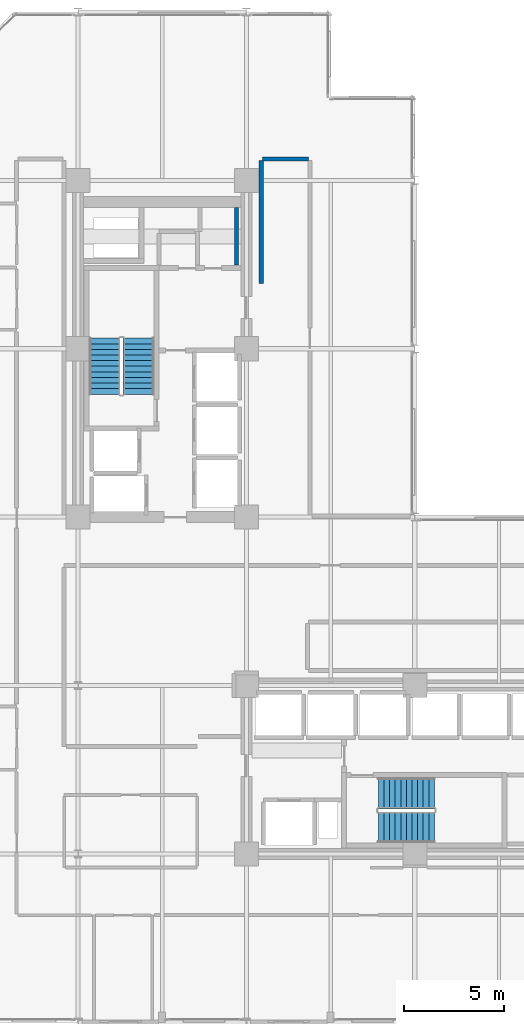
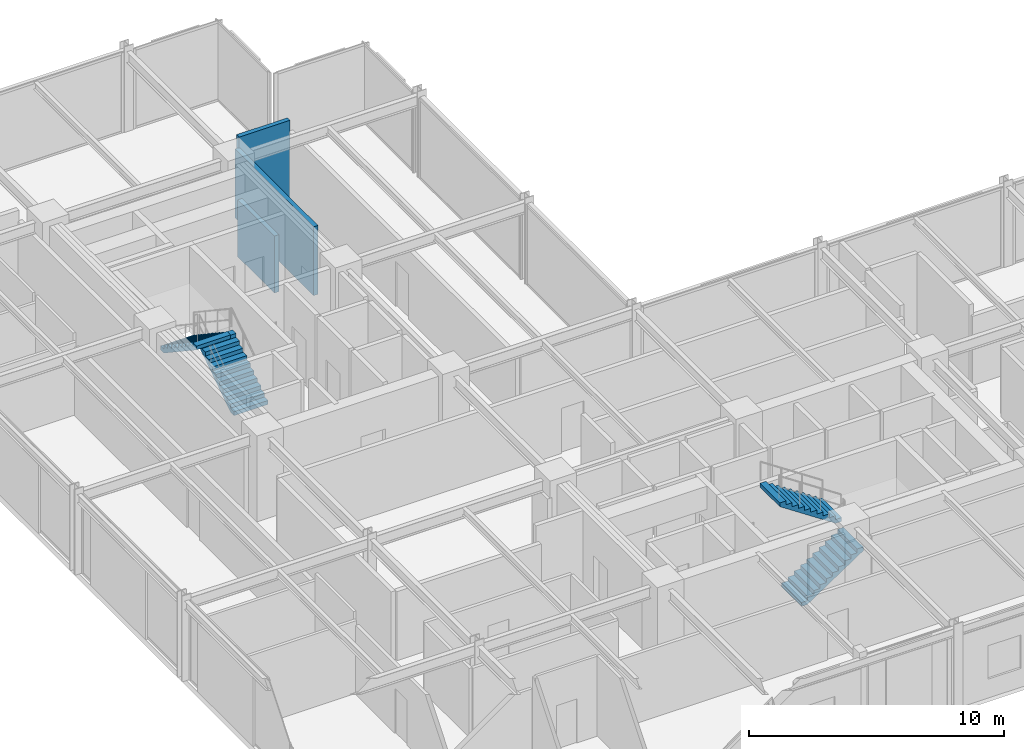
# One storey, part 35 of 38: 4 stair flights, 3 walls, 2 elements without a shape of their own.
"""IFC4 building model written with IfcOpenShell, lengths in metres."""

from ifc_helpers import new_model, si_unit, direction, frame, frame_2d, origin, place, context, subcontext, project, spatial, polyline, rectangle, outline, extrude, material, layer, layer_set, type_object, element, aggregate, save


model = new_model("IFC4")

# Units and contexts
model_context = context("Model", 3, precision=1e-05, world=origin(), true_north=direction((0.0, 1.0)))
body_context = subcontext(model_context, "Body", "Model", "MODEL_VIEW")
ifc_project = project(units=[si_unit("LENGTHUNIT", "METRE"), si_unit("AREAUNIT", "SQUARE_METRE"), si_unit("VOLUMEUNIT", "CUBIC_METRE"), si_unit("PLANEANGLEUNIT", "RADIAN"), si_unit("MASSUNIT", "GRAM", prefix="KILO")], contexts=[model_context])

# Site, building, storey
site_placement = place(None, origin())
site = spatial("IfcSite", under=ifc_project, at=site_placement, CompositionType="ELEMENT")
building_placement = place(site_placement, origin())
building = spatial("IfcBuilding", under=site, at=building_placement, Name="Nerrivon Quay Data Exchange", CompositionType="ELEMENT")
storey_placement = place(building_placement, frame((0.0, 0.0, 100.800048828125)))
storey = spatial("IfcBuildingStorey", under=building, at=storey_placement, Name="L23", CompositionType="ELEMENT", Elevation=100.800048828125)

# Walls
ifc_material_1 = material(Name="Gypsum plasterboard on cold-formed framing", Category="gypsum")
ifc_layer = layer(ifc_material_1, 0.199951171875)
ifc_layer_set = layer_set([ifc_layer], Name="Gypsum plasterboard on cold-formed framing")
wall_type = type_object("IfcWallType", Name="WALL-FW-200", PredefinedType="PARTITIONING", material=ifc_layer_set)
wall_1_placement = place(storey_placement, frame((16.300048828125, 37.780029296875, 0.0), z_axis=(0.0, 0.0, 1.0), x_axis=(0.0, 1.0, 0.0)))
element("IfcWall", 1, at=wall_1_placement, inside=storey, type_object=wall_type, Name="L23 Partition Cleaners Store", PredefinedType="PARTITIONING", context=body_context, shape_type="SweptSolid", body=[
    extrude(rectangle(XDim=2.865966796875, YDim=0.199951171875, at=frame_2d((1.43310546875, 0.0))), origin(), (0.0, 0.0, 1.0), 2.724853515625),
])
wall_2_placement = place(storey_placement, frame((17.5400390625, 36.860107421875, 0.0), z_axis=(0.0, 0.0, 1.0), x_axis=(0.0, 1.0, 0.0)))
element("IfcWall", 2, at=wall_2_placement, inside=storey, type_object=wall_type, Name="L23 Partition Colocation Data Workspace 7", PredefinedType="PARTITIONING", context=body_context, shape_type="SweptSolid", body=[
    extrude(rectangle(XDim=6.139892578125, YDim=0.199951171875, at=frame_2d((3.06982421875, 0.0))), origin(), (0.0, 0.0, 1.0), 3.2919921875),
])
wall_3_placement = place(storey_placement, frame((17.60009765625, 43.06005859375, 0.0), z_axis=(0.0, 0.0, 1.0), x_axis=(1.0, 0.0, 0.0)))
element("IfcWall", 3, at=wall_3_placement, inside=storey, type_object=wall_type, Name="L23 Partition Colocation Data Workspace 7", PredefinedType="PARTITIONING", context=body_context, shape_type="SweptSolid", body=[
    extrude(rectangle(XDim=2.2998046875, YDim=0.199951171875, at=frame_2d((1.14990234375, 0.0))), origin(), (0.0, 0.0, 1.0), 3.824951171875),
])

# Stair, stair flights
ifc_material_2 = material(Name="Concrete N50 (50 MPa)", Category="concrete")
stair_type = type_object("IfcStairType", Name="STAIR-DOG-41", PredefinedType="HALF_TURN_STAIR", material=ifc_material_2)
stair_1_placement = place(storey_placement, origin())
stair_1 = element("IfcStair", 4, at=stair_1_placement, inside=storey, type_object=stair_type, Name="L23 West Core Fire Stair ST01", PredefinedType="HALF_TURN_STAIR")
stair_flight_type = type_object("IfcStairFlightType", Name="FLIGHT-DOG-41", PredefinedType="STRAIGHT", material=ifc_material_2)
stair_flight_1_placement = place(storey_placement, frame((11.425048828125, 31.330078125, 0.0), z_axis=(0.0, 0.0, 1.0), x_axis=(0.0, 1.0, 0.0)))
stair_flight_1 = element("IfcStairFlight", 5, at=stair_flight_1_placement, type_object=stair_flight_type, Name="ST01 flight 1", NumberOfRisers=11, NumberOfTreads=10, PredefinedType="STRAIGHT", RiserHeight=0.186363636, TreadLength=0.28, context=body_context, shape_type="SweptSolid", body=[
    extrude(outline(polyline([(0.0, 0.0), (0.0, 0.186279296875), (0.280029296875, 0.186279296875), (0.280029296875, 0.372802734375), (0.56005859375, 0.372802734375), (0.56005859375, 0.55908203125), (0.840087890625, 0.55908203125), (0.840087890625, 0.745361328125), (1.1201171875, 0.745361328125), (1.1201171875, 0.931884765625), (1.39990234375, 0.931884765625), (1.39990234375, 1.1181640625), (1.679931640625, 1.1181640625), (1.679931640625, 1.304443359375), (1.9599609375, 1.304443359375), (1.9599609375, 1.490966796875), (2.239990234375, 1.490966796875), (2.239990234375, 1.67724609375), (2.52001953125, 1.67724609375), (2.52001953125, 1.863525390625), (2.800048828125, 1.863525390625), (2.800048828125, 2.050048828125), (2.800048828125, 1.68359375), (0.2705078125, 0.0), (0.0, 0.0)])), frame((0.0, 0.77490234375, 0.0), z_axis=(0.0, -1.0, 0.0), x_axis=(1.0, 0.0, 0.0)), (0.0, 0.0, 1.0), 1.550048828125),
])
stair_flight_2_placement = place(storey_placement, frame((9.72509765625, 34.1298828125, 2.050048828125), z_axis=(0.0, 0.0, 1.0), x_axis=(0.0, -1.0, 0.0)))
stair_flight_2 = element("IfcStairFlight", 6, at=stair_flight_2_placement, type_object=stair_flight_type, Name="ST01 flight 2", NumberOfRisers=11, NumberOfTreads=10, PredefinedType="STRAIGHT", RiserHeight=0.186363636, TreadLength=0.28, context=body_context, shape_type="SweptSolid", body=[
    extrude(outline(polyline([(0.0, 0.0), (0.0, 0.186279296875), (0.280029296875, 0.186279296875), (0.280029296875, 0.372802734375), (0.56005859375, 0.372802734375), (0.56005859375, 0.55908203125), (0.840087890625, 0.55908203125), (0.840087890625, 0.745361328125), (1.1201171875, 0.745361328125), (1.1201171875, 0.931884765625), (1.39990234375, 0.931884765625), (1.39990234375, 1.1181640625), (1.679931640625, 1.1181640625), (1.679931640625, 1.304443359375), (1.9599609375, 1.304443359375), (1.9599609375, 1.490966796875), (2.239990234375, 1.490966796875), (2.239990234375, 1.67724609375), (2.52001953125, 1.67724609375), (2.52001953125, 1.863525390625), (2.800048828125, 1.863525390625), (2.800048828125, 2.050048828125), (2.800048828125, 1.68359375), (0.2705078125, 0.0), (0.0, 0.0)])), frame((0.0, 0.77490234375, 0.0), z_axis=(0.0, -1.0, 0.0), x_axis=(1.0, 0.0, 0.0)), (0.0, 0.0, 1.0), 1.550048828125),
])
aggregate(stair_1, [stair_flight_1, stair_flight_2])

stair_2_placement = place(storey_placement, origin())
stair_2 = element("IfcStair", 7, at=stair_2_placement, inside=storey, type_object=stair_type, Name="L23 East Core Fire Stair ST02", PredefinedType="HALF_TURN_STAIR")
stair_flight_3_placement = place(storey_placement, frame((23.3798828125, 9.72509765625, 0.0), z_axis=(0.0, 0.0, 1.0), x_axis=(1.0, 0.0, 0.0)))
stair_flight_3 = element("IfcStairFlight", 8, at=stair_flight_3_placement, type_object=stair_flight_type, Name="ST02 flight 1", NumberOfRisers=11, NumberOfTreads=10, PredefinedType="STRAIGHT", RiserHeight=0.186363636, TreadLength=0.28, context=body_context, shape_type="SweptSolid", body=[
    extrude(outline(polyline([(0.0, 0.0), (0.0, 0.186279296875), (0.280029296875, 0.186279296875), (0.280029296875, 0.372802734375), (0.56005859375, 0.372802734375), (0.56005859375, 0.55908203125), (0.840087890625, 0.55908203125), (0.840087890625, 0.745361328125), (1.1201171875, 0.745361328125), (1.1201171875, 0.931884765625), (1.39990234375, 0.931884765625), (1.39990234375, 1.1181640625), (1.679931640625, 1.1181640625), (1.679931640625, 1.304443359375), (1.9599609375, 1.304443359375), (1.9599609375, 1.490966796875), (2.239990234375, 1.490966796875), (2.239990234375, 1.67724609375), (2.52001953125, 1.67724609375), (2.52001953125, 1.863525390625), (2.800048828125, 1.863525390625), (2.800048828125, 2.050048828125), (2.800048828125, 1.68359375), (0.2705078125, 0.0), (0.0, 0.0)])), frame((0.0, 0.77490234375, 0.0), z_axis=(0.0, -1.0, 0.0), x_axis=(1.0, 0.0, 0.0)), (0.0, 0.0, 1.0), 1.550048828125),
])
stair_flight_4_placement = place(storey_placement, frame((26.179931640625, 11.425048828125, 2.050048828125), z_axis=(0.0, 0.0, 1.0), x_axis=(-1.0, 0.0, 0.0)))
stair_flight_4 = element("IfcStairFlight", 9, at=stair_flight_4_placement, type_object=stair_flight_type, Name="ST02 flight 2", NumberOfRisers=11, NumberOfTreads=10, PredefinedType="STRAIGHT", RiserHeight=0.186363636, TreadLength=0.28, context=body_context, shape_type="SweptSolid", body=[
    extrude(outline(polyline([(0.0, 0.0), (0.0, 0.186279296875), (0.280029296875, 0.186279296875), (0.280029296875, 0.372802734375), (0.56005859375, 0.372802734375), (0.56005859375, 0.55908203125), (0.840087890625, 0.55908203125), (0.840087890625, 0.745361328125), (1.1201171875, 0.745361328125), (1.1201171875, 0.931884765625), (1.39990234375, 0.931884765625), (1.39990234375, 1.1181640625), (1.679931640625, 1.1181640625), (1.679931640625, 1.304443359375), (1.9599609375, 1.304443359375), (1.9599609375, 1.490966796875), (2.239990234375, 1.490966796875), (2.239990234375, 1.67724609375), (2.52001953125, 1.67724609375), (2.52001953125, 1.863525390625), (2.800048828125, 1.863525390625), (2.800048828125, 2.050048828125), (2.800048828125, 1.68359375), (0.2705078125, 0.0), (0.0, 0.0)])), frame((0.0, 0.77490234375, 0.0), z_axis=(0.0, -1.0, 0.0), x_axis=(1.0, 0.0, 0.0)), (0.0, 0.0, 1.0), 1.550048828125),
])
aggregate(stair_2, [stair_flight_3, stair_flight_4])

save(model, "model.ifc")
